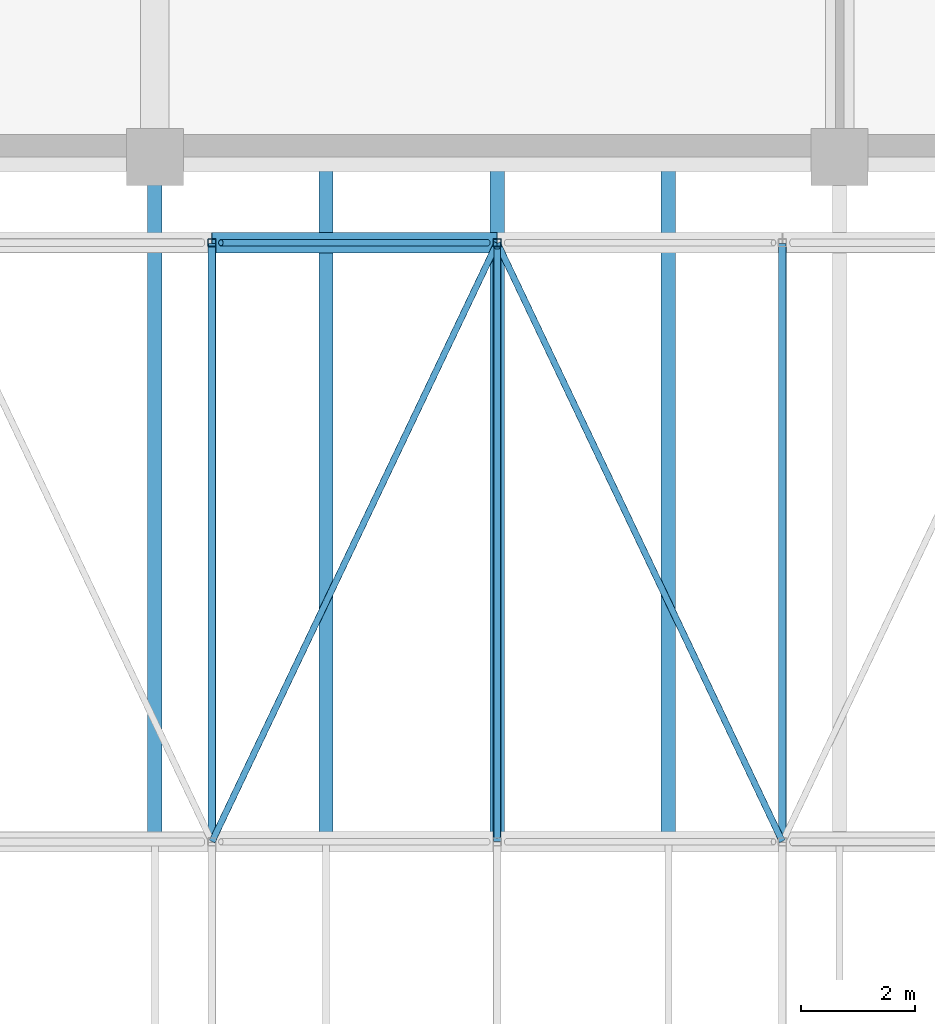
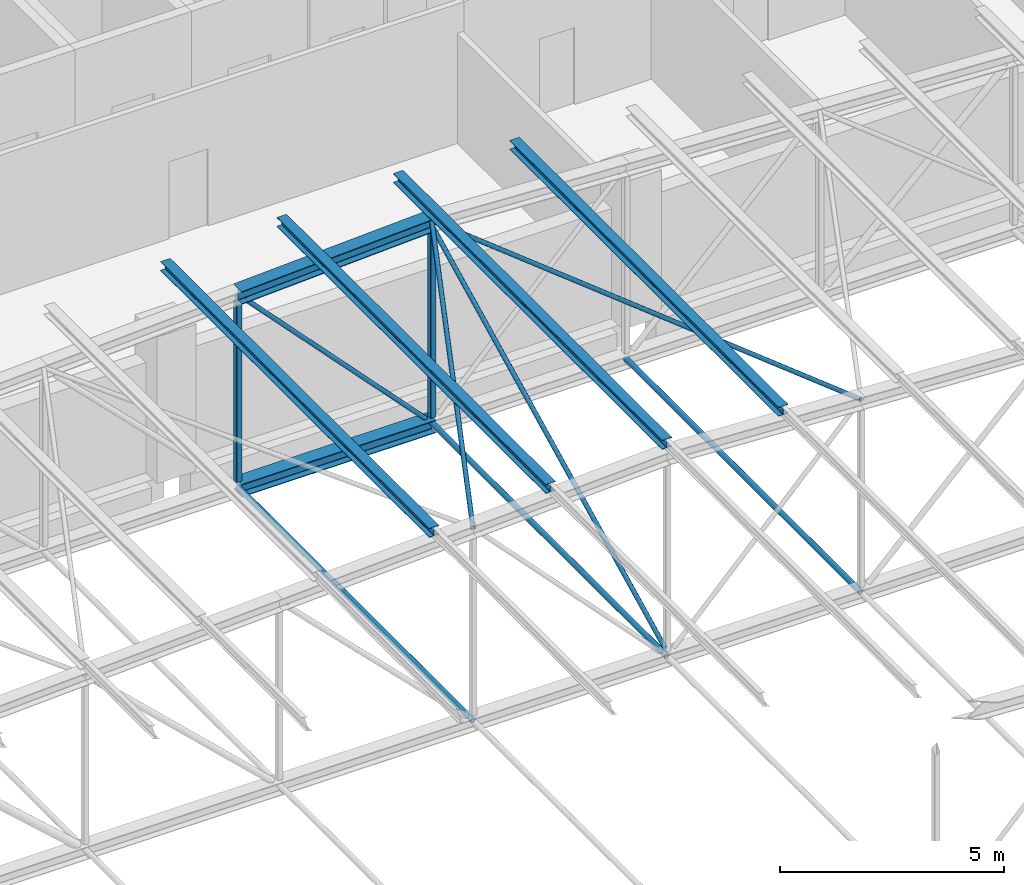
# One storey, part 115 of 156: 15 members.
"""IFC4 building model written with IfcOpenShell, lengths in metres."""

from ifc_helpers import new_model, si_unit, direction, frame, origin, origin_2d, place, context, subcontext, project, spatial, hollow_rectangle, hollow_circle, i_section, extrude, material, material_profile, profile_set, type_object, element, save


model = new_model("IFC4")

# Units and contexts
model_context = context("Model", 3, precision=1e-05, world=origin(), true_north=direction((0.0, 1.0)))
body_context = subcontext(model_context, "Body", "Model", "MODEL_VIEW")
ifc_project = project(units=[si_unit("LENGTHUNIT", "METRE"), si_unit("AREAUNIT", "SQUARE_METRE"), si_unit("VOLUMEUNIT", "CUBIC_METRE"), si_unit("PLANEANGLEUNIT", "RADIAN"), si_unit("MASSUNIT", "GRAM", prefix="KILO")], contexts=[model_context])

# Site, building, storey
site_placement = place(None, origin())
site = spatial("IfcSite", under=ifc_project, at=site_placement, CompositionType="ELEMENT")
building_placement = place(site_placement, origin())
building = spatial("IfcBuilding", under=site, at=building_placement, Name="Lilac Gate Convention Centre", CompositionType="ELEMENT")
storey_placement = place(building_placement, frame((0.0, 0.0, 17.0)))
storey = spatial("IfcBuildingStorey", under=building, at=storey_placement, Name="L03", CompositionType="ELEMENT", Elevation=17.0)

# Members
ifc_material = material(Name="Steel Q355B", Category="steel")
ifc_material_profile_1 = material_profile(ifc_material, hollow_circle(Radius=0.06982421875, WallThickness=0.0048828125, at=origin_2d()), Name="CHS139.7x5")
ifc_profile_set_1 = profile_set([ifc_material_profile_1], Name="Steel Q355B")
member_type_1 = type_object("IfcMemberType", Name="Bottom chord tie CHS139.7x5", PredefinedType="STRUT", material=ifc_profile_set_1)
for number, where, z_axis, x_axis, name in (
    (1, (55.0, 210.009521484375, 0.0), (0.0, 1.0, 0.0), (-1.0, 0.0, 0.0), "ST1 tie bay 16 node 6"),
    (2, (60.0, 210.009521484375, 0.0), (0.0, 1.0, 0.0), (-1.0, 0.0, 0.0), "ST1 tie bay 16 node 7"),
    (3, (65.0, 210.009521484375, 0.0), (0.0, 1.0, 0.0), (-1.0, 0.0, 0.0), "ST1 tie bay 16 node 8"),
):
    element("IfcMember", number, at=place(storey_placement, frame(where, z_axis=z_axis, x_axis=x_axis)), inside=storey, type_object=member_type_1, Name=name, PredefinedType="STRUT", context=body_context, shape_type="SweptSolid", body=[
        extrude(hollow_circle(Radius=0.06982421875, WallThickness=0.0048828125, at=origin_2d()), origin(), (0.0, 0.0, 1.0), 10.48095703125),
    ])
ifc_material_profile_2 = material_profile(ifc_material, hollow_circle(Radius=0.05712890625, WallThickness=0.0048828125, at=origin_2d()), Name="CHS114.3x5")
ifc_profile_set_2 = profile_set([ifc_material_profile_2], Name="Steel Q355B")
member_type_2 = type_object("IfcMemberType", Name="Roof plane bracing CHS114.3x5", PredefinedType="BRACE", material=ifc_profile_set_2)
member_1_placement = place(storey_placement, frame((55.0029296875, 210.006103515625, 5.25), z_axis=(0.429830782979, 0.902653049237, 0.021516754095), x_axis=(-0.902862072779, 0.429930317072, 0.0)))
element("IfcMember", 4, at=member_1_placement, inside=storey, type_object=member_type_2, Name="BR1 plan bracing bay 16 panel 6", PredefinedType="BRACE", context=body_context, shape_type="SweptSolid", body=[
    extrude(hollow_circle(Radius=0.05712890625, WallThickness=0.0048828125, at=origin_2d()), origin(), (0.0, 0.0, 1.0), 11.618896484375),
])
member_2_placement = place(storey_placement, frame((60.00439453125, 220.490478515625, 5.499755859375), z_axis=(0.429853894718, -0.902642716701, -0.021488489552), x_axis=(0.902851188877, 0.429953172733, 0.0)))
element("IfcMember", 5, at=member_2_placement, inside=storey, type_object=member_type_2, Name="BR1 plan bracing bay 16 panel 7", PredefinedType="BRACE", context=body_context, shape_type="SweptSolid", body=[
    extrude(hollow_circle(Radius=0.05712890625, WallThickness=0.0048828125, at=origin_2d()), origin(), (0.0, 0.0, 1.0), 11.611328125),
])
ifc_material_profile_3 = material_profile(ifc_material, i_section(OverallWidth=0.25, OverallDepth=0.25, WebThickness=0.009033203125, FlangeThickness=0.013916015625, FilletRadius=0.012939453125, at=origin_2d()), Name="HW250x250x9x14")
ifc_profile_set_3 = profile_set([ifc_material_profile_3], Name="Steel Q355B")
member_type_3 = type_object("IfcMemberType", Name="Roof purlin HW250x250x9x14", PredefinedType="PURLIN", material=ifc_profile_set_3)
for number, where, z_axis, x_axis, name in (
    (6, (54.0, 210.0, 5.500244140625), (0.0, 1.0, 0.0), (-1.0, 0.0, 0.0), "PU1 purlin bay 16 line 9"),
    (7, (57.0, 210.0, 5.650146484375), (0.0, 1.0, 0.0), (-1.0, 0.0, 0.0), "PU1 purlin bay 16 line 10"),
    (8, (60.0, 210.0, 5.80029296875), (0.0, 1.0, 0.0), (-1.0, 0.0, 0.0), "PU1 purlin bay 16 line 11"),
    (9, (63.0, 210.0, 5.650146484375), (0.0, 1.0, 0.0), (-1.0, 0.0, 0.0), "PU1 purlin bay 16 line 12"),
):
    element("IfcMember", number, at=place(storey_placement, frame(where, z_axis=z_axis, x_axis=x_axis)), inside=storey, type_object=member_type_3, Name=name, PredefinedType="PURLIN", context=body_context, shape_type="SweptSolid", body=[
        extrude(i_section(OverallWidth=0.25, OverallDepth=0.25, WebThickness=0.009033203125, FlangeThickness=0.013916015625, FilletRadius=0.012939453125, at=origin_2d()), origin(), (0.0, 0.0, 1.0), 12.0),
    ])
ifc_material_profile_4 = material_profile(ifc_material, i_section(OverallWidth=0.35693359375, OverallDepth=0.35009765625, WebThickness=0.01904296875, FlangeThickness=0.01904296875, FilletRadius=0.012939453125, at=origin_2d()), Name="HW350x357x19x19")
ifc_profile_set_4 = profile_set([ifc_material_profile_4], Name="Steel Q355B")
member_type_4 = type_object("IfcMemberType", Name="Truss bottom chord HW350x357x19x19", PredefinedType="CHORD", material=ifc_profile_set_4)
member_3_placement = place(storey_placement, frame((55.0, 220.5, 0.0), z_axis=(1.0, 0.0, 0.0), x_axis=(0.0, 1.0, 0.0)))
element("IfcMember", 10, at=member_3_placement, inside=storey, type_object=member_type_4, Name="TB3 truss 17 bottom chord 6", PredefinedType="CHORD", context=body_context, shape_type="SweptSolid", body=[
    extrude(i_section(OverallWidth=0.35693359375, OverallDepth=0.35009765625, WebThickness=0.01904296875, FlangeThickness=0.01904296875, FilletRadius=0.012939453125, at=origin_2d()), origin(), (0.0, 0.0, 1.0), 5.0),
])
ifc_material_profile_5 = material_profile(ifc_material, hollow_circle(Radius=0.05712890625, WallThickness=0.0048828125, at=origin_2d()), Name="CHS114.3x5")
ifc_profile_set_5 = profile_set([ifc_material_profile_5], Name="Steel Q355B")
member_type_5 = type_object("IfcMemberType", Name="Truss diagonal CHS114.3x5", PredefinedType="BRACE", material=ifc_profile_set_5)
member_4_placement = place(storey_placement, frame((55.156494140625, 220.5, 5.085693359375), z_axis=(0.6896515765, 0.0, -0.724141355697), x_axis=(0.0, 1.0, 0.0)))
element("IfcMember", 11, at=member_4_placement, inside=storey, type_object=member_type_5, Name="TW6 truss 17 diagonal 6", PredefinedType="BRACE", context=body_context, shape_type="SweptSolid", body=[
    extrude(hollow_circle(Radius=0.05712890625, WallThickness=0.0048828125, at=origin_2d()), origin(), (0.0, 0.0, 1.0), 6.78125),
])
ifc_material_profile_6 = material_profile(ifc_material, i_section(OverallWidth=0.35693359375, OverallDepth=0.35009765625, WebThickness=0.01904296875, FlangeThickness=0.01904296875, FilletRadius=0.012939453125, at=origin_2d()), Name="HW350x357x19x19")
ifc_profile_set_6 = profile_set([ifc_material_profile_6], Name="Steel Q355B")
member_type_6 = type_object("IfcMemberType", Name="Truss top chord HW350x357x19x19", PredefinedType="CHORD", material=ifc_profile_set_6)
member_5_placement = place(storey_placement, frame((55.0, 220.5, 5.25), z_axis=(0.998752338878, 0.0, 0.049937616944), x_axis=(0.0, 1.0, 0.0)))
element("IfcMember", 12, at=member_5_placement, inside=storey, type_object=member_type_6, Name="TT3 truss 17 top chord 6", PredefinedType="CHORD", context=body_context, shape_type="SweptSolid", body=[
    extrude(i_section(OverallWidth=0.35693359375, OverallDepth=0.35009765625, WebThickness=0.01904296875, FlangeThickness=0.01904296875, FilletRadius=0.012939453125, at=origin_2d()), origin(), (0.0, 0.0, 1.0), 5.00634765625),
])
ifc_material_profile_7 = material_profile(ifc_material, hollow_rectangle(XDim=0.139892578125, YDim=0.139892578125, WallThickness=0.0048828125, InnerFilletRadius=0.0048828125, OuterFilletRadius=0.010009765625, at=origin_2d()), Name="SHS140x140x5")
ifc_profile_set_7 = profile_set([ifc_material_profile_7], Name="Steel Q355B")
member_type_7 = type_object("IfcMemberType", Name="Truss vertical SHS140x140x5", PredefinedType="STRUT", material=ifc_profile_set_7)
member_6_placement = place(storey_placement, frame((55.0, 220.5, 0.175048828125), z_axis=(0.0, 0.0, 1.0), x_axis=(1.0, 0.0, 0.0)))
element("IfcMember", 13, at=member_6_placement, inside=storey, type_object=member_type_7, Name="TV4 truss 17 vertical 6", PredefinedType="STRUT", context=body_context, shape_type="SweptSolid", body=[
    extrude(hollow_rectangle(XDim=0.139892578125, YDim=0.139892578125, WallThickness=0.0048828125, InnerFilletRadius=0.0048828125, OuterFilletRadius=0.010009765625, at=origin_2d()), origin(), (0.0, 0.0, 1.0), 4.899658203125),
])
member_7_placement = place(storey_placement, frame((60.0, 220.5, 0.175048828125), z_axis=(0.0, 0.0, 1.0), x_axis=(1.0, 0.0, 0.0)))
element("IfcMember", 14, at=member_7_placement, inside=storey, type_object=member_type_7, Name="TV4 truss 17 vertical 7", PredefinedType="STRUT", context=body_context, shape_type="SweptSolid", body=[
    extrude(hollow_rectangle(XDim=0.139892578125, YDim=0.139892578125, WallThickness=0.0048828125, InnerFilletRadius=0.0048828125, OuterFilletRadius=0.010009765625, at=origin_2d()), origin(), (0.0, 0.0, 1.0), 5.149658203125),
])
ifc_material_profile_8 = material_profile(ifc_material, hollow_circle(Radius=0.05712890625, WallThickness=0.006103515625, at=origin_2d()), Name="CHS114.3x6")
ifc_profile_set_8 = profile_set([ifc_material_profile_8], Name="Steel Q355B")
member_type_8 = type_object("IfcMemberType", Name="Vertical bracing CHS114.3x6", PredefinedType="BRACE", material=ifc_profile_set_8)
member_8_placement = place(storey_placement, frame((60.0, 210.08740234375, 0.175048828125), z_axis=(0.0, 0.894875321319, 0.446316209983), x_axis=(-1.0, 0.0, 0.0)))
element("IfcMember", 15, at=member_8_placement, inside=storey, type_object=member_type_8, Name="BR2 vertical bracing bay 16 line 2", PredefinedType="BRACE", context=body_context, shape_type="SweptSolid", body=[
    extrude(hollow_circle(Radius=0.05712890625, WallThickness=0.006103515625, at=origin_2d()), origin(), (0.0, 0.0, 1.0), 11.5380859375),
])

save(model, "model.ifc")
